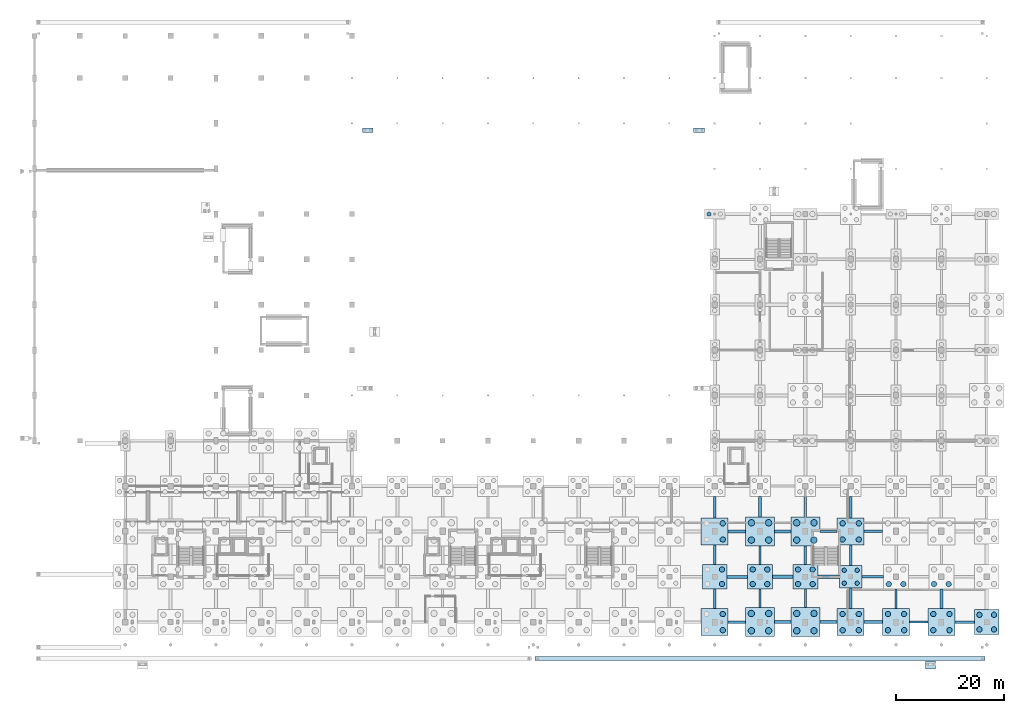
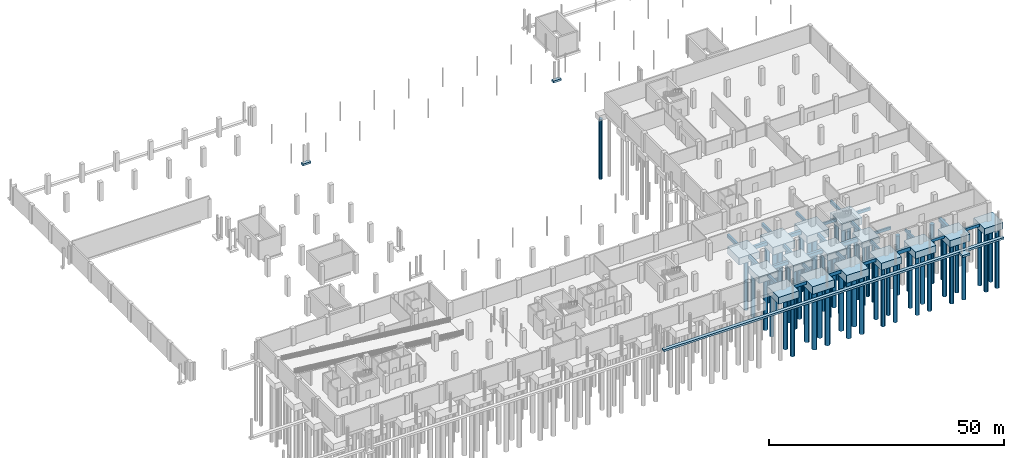
# One storey, part 5 of 39: 59 piles, 47 footings.
"""IFC4 building model written with IfcOpenShell, lengths in metres."""

from ifc_helpers import new_model, si_unit, derived_unit, direction, frame, origin, origin_2d, place, context, subcontext, project, spatial, polyline, rectangle, circle, outline, extrude, material, material_profile, profile_set, type_object, element, save


model = new_model("IFC4")

# Units and contexts
model_context = context("Model", 3, precision=1e-05, world=origin(), true_north=direction((0.0, 1.0)))
body_context = subcontext(model_context, "Body", "Model", "MODEL_VIEW")
ifc_project = project(units=[si_unit("LENGTHUNIT", "METRE"), si_unit("AREAUNIT", "SQUARE_METRE"), si_unit("VOLUMEUNIT", "CUBIC_METRE"), si_unit("PLANEANGLEUNIT", "RADIAN"), si_unit("MASSUNIT", "GRAM", prefix="KILO"), derived_unit("THERMALTRANSMITTANCEUNIT", [(si_unit("POWERUNIT", "WATT"), 1), (si_unit("LENGTHUNIT", "METRE"), -2), (si_unit("THERMODYNAMICTEMPERATUREUNIT", "KELVIN"), -1)])], contexts=[model_context])

# Site, building, storey
site_placement = place(None, origin())
site = spatial("IfcSite", under=ifc_project, at=site_placement, CompositionType="ELEMENT")
building_placement = place(site_placement, origin())
building = spatial("IfcBuilding", under=site, at=building_placement, Name="Barrovel Congress Hotel", CompositionType="ELEMENT")
storey_placement = place(building_placement, frame((0.0, 0.0, -4.5)))
storey = spatial("IfcBuildingStorey", under=building, at=storey_placement, Name="B01", CompositionType="ELEMENT", Elevation=-4.5)

# Footings
ifc_material_1 = material(Name="Concrete C40", Category="concrete")
footing_type_1 = type_object("IfcFootingType", Name="CAP-PC-08", PredefinedType="PILE_CAP", material=ifc_material_1)
footing_1_placement = place(storey_placement, frame((151.199951171875, 12.60009765625, -1.9599609375), z_axis=(0.0, 0.0, 1.0), x_axis=(1.0, 0.0, 0.0)))
element("IfcFooting", 1, at=footing_1_placement, inside=storey, type_object=footing_type_1, Name="CAP:B01:151.2:12.6", PredefinedType="PILE_CAP", context=body_context, shape_type="SweptSolid", body=[
    extrude(rectangle(XDim=4.199951171875, YDim=4.199951171875, at=origin_2d()), origin(), (0.0, 0.0, 1.0), 1.60009765625),
])
footing_type_2 = type_object("IfcFootingType", Name="CAP-PC-09", PredefinedType="PILE_CAP", material=ifc_material_1)
for number, where, z_axis, x_axis, name in (
    (2, (126.0, 12.60009765625, -2.06005859375), (0.0, 0.0, 1.0), (1.0, 0.0, 0.0), "CAP:B01:126.0:12.6"),
    (3, (134.39990234375, 12.60009765625, -2.06005859375), (0.0, 0.0, 1.0), (1.0, 0.0, 0.0), "CAP:B01:134.4:12.6"),
    (4, (142.800048828125, 12.60009765625, -2.06005859375), (0.0, 0.0, 1.0), (1.0, 0.0, 0.0), "CAP:B01:142.8:12.6"),
    (5, (176.39990234375, 4.199951171875, -2.06005859375), (0.0, 0.0, 1.0), (1.0, 0.0, 0.0), "CAP:B01:176.4:4.2"),
):
    element("IfcFooting", number, at=place(storey_placement, frame(where, z_axis=z_axis, x_axis=x_axis)), inside=storey, type_object=footing_type_2, Name=name, PredefinedType="PILE_CAP", context=body_context, shape_type="SweptSolid", body=[
        extrude(rectangle(XDim=4.60009765625, YDim=4.60009765625, at=origin_2d()), origin(), (0.0, 0.0, 1.0), 1.699951171875),
    ])
footing_type_3 = type_object("IfcFootingType", Name="CAP-PC-10", PredefinedType="PILE_CAP", material=ifc_material_1)
for number, where, z_axis, x_axis, name in (
    (6, (126.0, 4.199951171875, -2.16015625), (0.0, 0.0, 1.0), (1.0, 0.0, 0.0), "CAP:B01:126.0:4.2"),
    (7, (126.0, 21.0, -2.16015625), (0.0, 0.0, 1.0), (1.0, 0.0, 0.0), "CAP:B01:126.0:21.0"),
    (8, (151.199951171875, 4.199951171875, -2.16015625), (0.0, 0.0, 1.0), (1.0, 0.0, 0.0), "CAP:B01:151.2:4.2"),
    (9, (151.199951171875, 21.0, -2.16015625), (0.0, 0.0, 1.0), (1.0, 0.0, 0.0), "CAP:B01:151.2:21.0"),
    (10, (159.60009765625, 4.199951171875, -2.16015625), (0.0, 0.0, 1.0), (1.0, 0.0, 0.0), "CAP:B01:159.6:4.2"),
    (11, (168.0, 4.199951171875, -2.16015625), (0.0, 0.0, 1.0), (1.0, 0.0, 0.0), "CAP:B01:168.0:4.2"),
):
    element("IfcFooting", number, at=place(storey_placement, frame(where, z_axis=z_axis, x_axis=x_axis)), inside=storey, type_object=footing_type_3, Name=name, PredefinedType="PILE_CAP", context=body_context, shape_type="SweptSolid", body=[
        extrude(rectangle(XDim=5.0, YDim=5.0, at=origin_2d()), origin(), (0.0, 0.0, 1.0), 1.800048828125),
    ])
footing_type_4 = type_object("IfcFootingType", Name="CAP-PC-11", PredefinedType="PILE_CAP", material=ifc_material_1)
for number, where, z_axis, x_axis, name in (
    (12, (134.39990234375, 4.199951171875, -2.360107421875), (0.0, 0.0, 1.0), (1.0, 0.0, 0.0), "CAP:B01:134.4:4.2"),
    (13, (134.39990234375, 21.0, -2.360107421875), (0.0, 0.0, 1.0), (1.0, 0.0, 0.0), "CAP:B01:134.4:21.0"),
    (14, (142.800048828125, 4.199951171875, -2.360107421875), (0.0, 0.0, 1.0), (1.0, 0.0, 0.0), "CAP:B01:142.8:4.2"),
    (15, (142.800048828125, 21.0, -2.360107421875), (0.0, 0.0, 1.0), (1.0, 0.0, 0.0), "CAP:B01:142.8:21.0"),
):
    element("IfcFooting", number, at=place(storey_placement, frame(where, z_axis=z_axis, x_axis=x_axis)), inside=storey, type_object=footing_type_4, Name=name, PredefinedType="PILE_CAP", context=body_context, shape_type="SweptSolid", body=[
        extrude(rectangle(XDim=5.39990234375, YDim=5.39990234375, at=origin_2d()), origin(), (0.0, 0.0, 1.0), 2.0),
    ])
footing_type_5 = type_object("IfcFootingType", Name="FB-400x700", PredefinedType="FOOTING_BEAM", material=ifc_material_1)
footing_2_placement = place(storey_placement, frame((0.0, 0.0, -1.06005859375)))
element("IfcFooting", 16, at=footing_2_placement, inside=storey, type_object=footing_type_5, Name="FBX:B01:4.2:159.6-168.0", PredefinedType="FOOTING_BEAM", context=body_context, shape_type="SweptSolid", body=[
    extrude(outline(polyline([(162.10009765625, 4.0), (165.5, 4.0), (165.5, 4.39990234375), (162.10009765625, 4.39990234375), (162.10009765625, 4.0)])), origin(), (0.0, 0.0, 1.0), 0.699951171875),
])
footing_3_placement = place(storey_placement, frame((0.0, 0.0, -1.06005859375)))
element("IfcFooting", 17, at=footing_3_placement, inside=storey, type_object=footing_type_5, Name="FBX:B01:12.6:151.2-159.6", PredefinedType="FOOTING_BEAM", context=body_context, shape_type="SweptSolid", body=[
    extrude(outline(polyline([(153.300048828125, 12.39990234375), (157.300048828125, 12.39990234375), (157.300048828125, 12.800048828125), (153.300048828125, 12.800048828125), (153.300048828125, 12.39990234375)])), origin(), (0.0, 0.0, 1.0), 0.699951171875),
])
footing_4_placement = place(storey_placement, frame((0.0, 0.0, -1.06005859375)))
element("IfcFooting", 18, at=footing_4_placement, inside=storey, type_object=footing_type_5, Name="FBX:B01:21.0:142.8-151.2", PredefinedType="FOOTING_BEAM", context=body_context, shape_type="SweptSolid", body=[
    extrude(outline(polyline([(145.5, 20.800048828125), (148.699951171875, 20.800048828125), (148.699951171875, 21.199951171875), (145.5, 21.199951171875), (145.5, 20.800048828125)])), origin(), (0.0, 0.0, 1.0), 0.699951171875),
])
footing_5_placement = place(storey_placement, frame((0.0, 0.0, -1.06005859375)))
element("IfcFooting", 19, at=footing_5_placement, inside=storey, type_object=footing_type_5, Name="FBY:B01:126.0:4.2-12.6", PredefinedType="FOOTING_BEAM", context=body_context, shape_type="SweptSolid", body=[
    extrude(outline(polyline([(125.800048828125, 6.699951171875), (126.199951171875, 6.699951171875), (126.199951171875, 10.300048828125), (125.800048828125, 10.300048828125), (125.800048828125, 6.699951171875)])), origin(), (0.0, 0.0, 1.0), 0.699951171875),
])
footing_6_placement = place(storey_placement, frame((0.0, 0.0, -1.06005859375)))
element("IfcFooting", 20, at=footing_6_placement, inside=storey, type_object=footing_type_5, Name="FBY:B01:134.4:4.2-12.6", PredefinedType="FOOTING_BEAM", context=body_context, shape_type="SweptSolid", body=[
    extrude(outline(polyline([(134.199951171875, 6.89990234375), (134.60009765625, 6.89990234375), (134.60009765625, 10.300048828125), (134.199951171875, 10.300048828125), (134.199951171875, 6.89990234375)])), origin(), (0.0, 0.0, 1.0), 0.699951171875),
])
footing_7_placement = place(storey_placement, frame((0.0, 0.0, -1.06005859375)))
element("IfcFooting", 21, at=footing_7_placement, inside=storey, type_object=footing_type_5, Name="FBY:B01:142.8:4.2-12.6", PredefinedType="FOOTING_BEAM", context=body_context, shape_type="SweptSolid", body=[
    extrude(outline(polyline([(142.60009765625, 6.89990234375), (143.0, 6.89990234375), (143.0, 10.300048828125), (142.60009765625, 10.300048828125), (142.60009765625, 6.89990234375)])), origin(), (0.0, 0.0, 1.0), 0.699951171875),
])
footing_8_placement = place(storey_placement, frame((0.0, 0.0, -1.06005859375)))
element("IfcFooting", 22, at=footing_8_placement, inside=storey, type_object=footing_type_5, Name="FBY:B01:151.2:4.2-12.6", PredefinedType="FOOTING_BEAM", context=body_context, shape_type="SweptSolid", body=[
    extrude(outline(polyline([(151.0, 6.699951171875), (151.39990234375, 6.699951171875), (151.39990234375, 10.5), (151.0, 10.5), (151.0, 6.699951171875)])), origin(), (0.0, 0.0, 1.0), 0.699951171875),
])
footing_9_placement = place(storey_placement, frame((0.0, 0.0, -1.06005859375)))
element("IfcFooting", 23, at=footing_9_placement, inside=storey, type_object=footing_type_5, Name="FBY:B01:159.6:4.2-12.6", PredefinedType="FOOTING_BEAM", context=body_context, shape_type="SweptSolid", body=[
    extrude(outline(polyline([(159.39990234375, 6.699951171875), (159.800048828125, 6.699951171875), (159.800048828125, 10.300048828125), (159.39990234375, 10.300048828125), (159.39990234375, 6.699951171875)])), origin(), (0.0, 0.0, 1.0), 0.699951171875),
])
footing_type_6 = type_object("IfcFootingType", Name="FB-450x750", PredefinedType="FOOTING_BEAM", material=ifc_material_1)
footing_10_placement = place(storey_placement, frame((0.0, 0.0, -1.110107421875)))
element("IfcFooting", 24, at=footing_10_placement, inside=storey, type_object=footing_type_6, Name="FBX:B01:4.2:168.0-176.4", PredefinedType="FOOTING_BEAM", context=body_context, shape_type="SweptSolid", body=[
    extrude(outline(polyline([(170.5, 3.97509765625), (174.10009765625, 3.97509765625), (174.10009765625, 4.425048828125), (170.5, 4.425048828125), (170.5, 3.97509765625)])), origin(), (0.0, 0.0, 1.0), 0.75),
])
footing_11_placement = place(storey_placement, frame((0.0, 0.0, -1.110107421875)))
element("IfcFooting", 25, at=footing_11_placement, inside=storey, type_object=footing_type_6, Name="FBX:B01:21.0:151.2-159.6", PredefinedType="FOOTING_BEAM", context=body_context, shape_type="SweptSolid", body=[
    extrude(outline(polyline([(153.699951171875, 20.77490234375), (157.10009765625, 20.77490234375), (157.10009765625, 21.22509765625), (153.699951171875, 21.22509765625), (153.699951171875, 20.77490234375)])), origin(), (0.0, 0.0, 1.0), 0.75),
])
footing_12_placement = place(storey_placement, frame((0.0, 0.0, -1.110107421875)))
element("IfcFooting", 26, at=footing_12_placement, inside=storey, type_object=footing_type_6, Name="FBY:B01:126.0:12.6-21.0", PredefinedType="FOOTING_BEAM", context=body_context, shape_type="SweptSolid", body=[
    extrude(outline(polyline([(125.77490234375, 14.89990234375), (126.22509765625, 14.89990234375), (126.22509765625, 18.5), (125.77490234375, 18.5), (125.77490234375, 14.89990234375)])), origin(), (0.0, 0.0, 1.0), 0.75),
])
footing_13_placement = place(storey_placement, frame((0.0, 0.0, -1.110107421875)))
element("IfcFooting", 27, at=footing_13_placement, inside=storey, type_object=footing_type_6, Name="FBY:B01:134.4:12.6-21.0", PredefinedType="FOOTING_BEAM", context=body_context, shape_type="SweptSolid", body=[
    extrude(outline(polyline([(134.175048828125, 14.89990234375), (134.625, 14.89990234375), (134.625, 18.300048828125), (134.175048828125, 18.300048828125), (134.175048828125, 14.89990234375)])), origin(), (0.0, 0.0, 1.0), 0.75),
])
footing_14_placement = place(storey_placement, frame((0.0, 0.0, -1.110107421875)))
element("IfcFooting", 28, at=footing_14_placement, inside=storey, type_object=footing_type_6, Name="FBY:B01:142.8:12.6-21.0", PredefinedType="FOOTING_BEAM", context=body_context, shape_type="SweptSolid", body=[
    extrude(outline(polyline([(142.574951171875, 14.89990234375), (143.02490234375, 14.89990234375), (143.02490234375, 18.300048828125), (142.574951171875, 18.300048828125), (142.574951171875, 14.89990234375)])), origin(), (0.0, 0.0, 1.0), 0.75),
])
footing_15_placement = place(storey_placement, frame((0.0, 0.0, -1.110107421875)))
element("IfcFooting", 29, at=footing_15_placement, inside=storey, type_object=footing_type_6, Name="FBY:B01:151.2:12.6-21.0", PredefinedType="FOOTING_BEAM", context=body_context, shape_type="SweptSolid", body=[
    extrude(outline(polyline([(150.97509765625, 14.699951171875), (151.425048828125, 14.699951171875), (151.425048828125, 18.5), (150.97509765625, 18.5), (150.97509765625, 14.699951171875)])), origin(), (0.0, 0.0, 1.0), 0.75),
])
footing_type_7 = type_object("IfcFootingType", Name="FB-500x800", PredefinedType="FOOTING_BEAM", material=ifc_material_1)
footing_16_placement = place(storey_placement, frame((0.0, 0.0, -1.159912109375)))
element("IfcFooting", 30, at=footing_16_placement, inside=storey, type_object=footing_type_7, Name="FBX:B01:4.2:126.0-134.4", PredefinedType="FOOTING_BEAM", context=body_context, shape_type="SweptSolid", body=[
    extrude(outline(polyline([(128.5, 3.949951171875), (131.699951171875, 3.949951171875), (131.699951171875, 4.449951171875), (128.5, 4.449951171875), (128.5, 3.949951171875)])), origin(), (0.0, 0.0, 1.0), 0.7998046875),
])
footing_17_placement = place(storey_placement, frame((0.0, 0.0, -1.159912109375)))
element("IfcFooting", 31, at=footing_17_placement, inside=storey, type_object=footing_type_7, Name="FBY:B01:126.0:21.0-29.4", PredefinedType="FOOTING_BEAM", context=body_context, shape_type="SweptSolid", body=[
    extrude(outline(polyline([(125.75, 23.5), (126.25, 23.5), (126.25, 27.5), (125.75, 27.5), (125.75, 23.5)])), origin(), (0.0, 0.0, 1.0), 0.7998046875),
])
footing_18_placement = place(storey_placement, frame((0.0, 0.0, -1.159912109375)))
element("IfcFooting", 32, at=footing_18_placement, inside=storey, type_object=footing_type_7, Name="FBY:B01:134.4:21.0-29.4", PredefinedType="FOOTING_BEAM", context=body_context, shape_type="SweptSolid", body=[
    extrude(outline(polyline([(134.14990234375, 23.699951171875), (134.64990234375, 23.699951171875), (134.64990234375, 27.5), (134.14990234375, 27.5), (134.14990234375, 23.699951171875)])), origin(), (0.0, 0.0, 1.0), 0.7998046875),
])
footing_19_placement = place(storey_placement, frame((0.0, 0.0, -1.159912109375)))
element("IfcFooting", 33, at=footing_19_placement, inside=storey, type_object=footing_type_7, Name="FBY:B01:142.8:21.0-29.4", PredefinedType="FOOTING_BEAM", context=body_context, shape_type="SweptSolid", body=[
    extrude(outline(polyline([(142.550048828125, 23.699951171875), (143.050048828125, 23.699951171875), (143.050048828125, 27.5), (142.550048828125, 27.5), (142.550048828125, 23.699951171875)])), origin(), (0.0, 0.0, 1.0), 0.7998046875),
])
footing_20_placement = place(storey_placement, frame((0.0, 0.0, -1.159912109375)))
element("IfcFooting", 34, at=footing_20_placement, inside=storey, type_object=footing_type_7, Name="FBY:B01:151.2:21.0-29.4", PredefinedType="FOOTING_BEAM", context=body_context, shape_type="SweptSolid", body=[
    extrude(outline(polyline([(150.949951171875, 23.5), (151.449951171875, 23.5), (151.449951171875, 27.5), (150.949951171875, 27.5), (150.949951171875, 23.5)])), origin(), (0.0, 0.0, 1.0), 0.7998046875),
])
footing_type_8 = type_object("IfcFootingType", Name="FB-550x850", PredefinedType="FOOTING_BEAM", material=ifc_material_1)
footing_21_placement = place(storey_placement, frame((0.0, 0.0, -1.2099609375)))
element("IfcFooting", 35, at=footing_21_placement, inside=storey, type_object=footing_type_8, Name="FBX:B01:4.2:134.4-142.8", PredefinedType="FOOTING_BEAM", context=body_context, shape_type="SweptSolid", body=[
    extrude(outline(polyline([(137.10009765625, 3.925048828125), (140.10009765625, 3.925048828125), (140.10009765625, 4.47509765625), (137.10009765625, 4.47509765625), (137.10009765625, 3.925048828125)])), origin(), (0.0, 0.0, 1.0), 0.849853515625),
])
footing_22_placement = place(storey_placement, frame((0.0, 0.0, -1.2099609375)))
element("IfcFooting", 36, at=footing_22_placement, inside=storey, type_object=footing_type_8, Name="FBX:B01:12.6:126.0-134.4", PredefinedType="FOOTING_BEAM", context=body_context, shape_type="SweptSolid", body=[
    extrude(outline(polyline([(128.300048828125, 12.324951171875), (132.10009765625, 12.324951171875), (132.10009765625, 12.875), (128.300048828125, 12.875), (128.300048828125, 12.324951171875)])), origin(), (0.0, 0.0, 1.0), 0.849853515625),
])
footing_type_9 = type_object("IfcFootingType", Name="FB-600x850", PredefinedType="FOOTING_BEAM", material=ifc_material_1)
footing_23_placement = place(storey_placement, frame((0.0, 0.0, -1.2099609375)))
element("IfcFooting", 37, at=footing_23_placement, inside=storey, type_object=footing_type_9, Name="FBX:B01:4.2:142.8-151.2", PredefinedType="FOOTING_BEAM", context=body_context, shape_type="SweptSolid", body=[
    extrude(outline(polyline([(145.5, 3.89990234375), (148.699951171875, 3.89990234375), (148.699951171875, 4.5), (145.5, 4.5), (145.5, 3.89990234375)])), origin(), (0.0, 0.0, 1.0), 0.849853515625),
])
footing_24_placement = place(storey_placement, frame((0.0, 0.0, -1.2099609375)))
element("IfcFooting", 38, at=footing_24_placement, inside=storey, type_object=footing_type_9, Name="FBX:B01:12.6:134.4-142.8", PredefinedType="FOOTING_BEAM", context=body_context, shape_type="SweptSolid", body=[
    extrude(outline(polyline([(136.699951171875, 12.300048828125), (140.5, 12.300048828125), (140.5, 12.89990234375), (136.699951171875, 12.89990234375), (136.699951171875, 12.300048828125)])), origin(), (0.0, 0.0, 1.0), 0.849853515625),
])
footing_25_placement = place(storey_placement, frame((0.0, 0.0, -1.2099609375)))
element("IfcFooting", 39, at=footing_25_placement, inside=storey, type_object=footing_type_9, Name="FBX:B01:21.0:126.0-134.4", PredefinedType="FOOTING_BEAM", context=body_context, shape_type="SweptSolid", body=[
    extrude(outline(polyline([(128.5, 20.699951171875), (131.699951171875, 20.699951171875), (131.699951171875, 21.300048828125), (128.5, 21.300048828125), (128.5, 20.699951171875)])), origin(), (0.0, 0.0, 1.0), 0.849853515625),
])
footing_type_10 = type_object("IfcFootingType", Name="FB-600x950", PredefinedType="FOOTING_BEAM", material=ifc_material_1)
footing_26_placement = place(storey_placement, frame((0.0, 0.0, -1.31005859375)))
element("IfcFooting", 40, at=footing_26_placement, inside=storey, type_object=footing_type_10, Name="FBX:B01:4.2:151.2-159.6", PredefinedType="FOOTING_BEAM", context=body_context, shape_type="SweptSolid", body=[
    extrude(outline(polyline([(153.699951171875, 3.89990234375), (157.10009765625, 3.89990234375), (157.10009765625, 4.5), (153.699951171875, 4.5), (153.699951171875, 3.89990234375)])), origin(), (0.0, 0.0, 1.0), 0.949951171875),
])
footing_27_placement = place(storey_placement, frame((0.0, 0.0, -1.31005859375)))
element("IfcFooting", 41, at=footing_27_placement, inside=storey, type_object=footing_type_10, Name="FBX:B01:12.6:142.8-151.2", PredefinedType="FOOTING_BEAM", context=body_context, shape_type="SweptSolid", body=[
    extrude(outline(polyline([(145.10009765625, 12.300048828125), (149.10009765625, 12.300048828125), (149.10009765625, 12.89990234375), (145.10009765625, 12.89990234375), (145.10009765625, 12.300048828125)])), origin(), (0.0, 0.0, 1.0), 0.949951171875),
])
footing_28_placement = place(storey_placement, frame((0.0, 0.0, -1.31005859375)))
element("IfcFooting", 42, at=footing_28_placement, inside=storey, type_object=footing_type_10, Name="FBX:B01:21.0:134.4-142.8", PredefinedType="FOOTING_BEAM", context=body_context, shape_type="SweptSolid", body=[
    extrude(outline(polyline([(137.10009765625, 20.699951171875), (140.10009765625, 20.699951171875), (140.10009765625, 21.300048828125), (137.10009765625, 21.300048828125), (137.10009765625, 20.699951171875)])), origin(), (0.0, 0.0, 1.0), 0.949951171875),
])
footing_29_placement = place(storey_placement, frame((0.0, 0.0, -1.31005859375)))
element("IfcFooting", 43, at=footing_29_placement, inside=storey, type_object=footing_type_10, Name="FBY:B01:168.0:4.2-12.6", PredefinedType="FOOTING_BEAM", context=body_context, shape_type="SweptSolid", body=[
    extrude(outline(polyline([(167.699951171875, 6.699951171875), (168.300048828125, 6.699951171875), (168.300048828125, 10.300048828125), (167.699951171875, 10.300048828125), (167.699951171875, 6.699951171875)])), origin(), (0.0, 0.0, 1.0), 0.949951171875),
])

# Piles
ifc_material_2 = material(Name="Concrete C35", Category="concrete")
ifc_material_profile_1 = material_profile(ifc_material_2, circle(Radius=0.5, at=origin_2d()), Name="BP-D1000")
ifc_profile_set_1 = profile_set([ifc_material_profile_1], Name="Concrete C35")
pile_type_1 = type_object("IfcPileType", Name="PILE-BP-D1000", PredefinedType="BORED", material=ifc_profile_set_1)
for number, where, z_axis, x_axis, name in (
    (44, (127.5, 2.699951171875, -2.159912109375), (0.0, 0.0, -1.0), (1.0, 0.0, 0.0), "PILE:B01:126.0:4.2:2"),
    (45, (127.5, 5.699951171875, -2.159912109375), (0.0, 0.0, -1.0), (1.0, 0.0, 0.0), "PILE:B01:126.0:4.2:4"),
):
    element("IfcPile", number, at=place(storey_placement, frame(where, z_axis=z_axis, x_axis=x_axis)), inside=storey, type_object=pile_type_1, Name=name, PredefinedType="BORED", context=body_context, shape_type="SweptSolid", body=[
        extrude(circle(Radius=0.5, at=origin_2d()), origin(), (0.0, 0.0, 1.0), 15.239990234375),
    ])
for number, where, z_axis, x_axis, name in (
    (46, (127.35009765625, 11.25, -2.06005859375), (0.0, 0.0, -1.0), (1.0, 0.0, 0.0), "PILE:B01:126.0:12.6:2"),
    (47, (127.35009765625, 13.949951171875, -2.06005859375), (0.0, 0.0, -1.0), (1.0, 0.0, 0.0), "PILE:B01:126.0:12.6:4"),
):
    element("IfcPile", number, at=place(storey_placement, frame(where, z_axis=z_axis, x_axis=x_axis)), inside=storey, type_object=pile_type_1, Name=name, PredefinedType="BORED", context=body_context, shape_type="SweptSolid", body=[
        extrude(circle(Radius=0.5, at=origin_2d()), origin(), (0.0, 0.0, 1.0), 15.340087890625),
    ])
for number, where, z_axis, x_axis, name in (
    (48, (127.5, 19.5, -2.159912109375), (0.0, 0.0, -1.0), (1.0, 0.0, 0.0), "PILE:B01:126.0:21.0:2"),
    (49, (127.5, 22.5, -2.159912109375), (0.0, 0.0, -1.0), (1.0, 0.0, 0.0), "PILE:B01:126.0:21.0:4"),
):
    element("IfcPile", number, at=place(storey_placement, frame(where, z_axis=z_axis, x_axis=x_axis)), inside=storey, type_object=pile_type_1, Name=name, PredefinedType="BORED", context=body_context, shape_type="SweptSolid", body=[
        extrude(circle(Radius=0.5, at=origin_2d()), origin(), (0.0, 0.0, 1.0), 15.239990234375),
    ])
for number, where, z_axis, x_axis, name in (
    (50, (133.050048828125, 11.25, -2.06005859375), (0.0, 0.0, -1.0), (1.0, 0.0, 0.0), "PILE:B01:134.4:12.6:1"),
    (51, (135.75, 11.25, -2.06005859375), (0.0, 0.0, -1.0), (1.0, 0.0, 0.0), "PILE:B01:134.4:12.6:2"),
    (52, (133.050048828125, 13.949951171875, -2.06005859375), (0.0, 0.0, -1.0), (1.0, 0.0, 0.0), "PILE:B01:134.4:12.6:3"),
    (53, (135.75, 13.949951171875, -2.06005859375), (0.0, 0.0, -1.0), (1.0, 0.0, 0.0), "PILE:B01:134.4:12.6:4"),
    (54, (141.449951171875, 11.25, -2.06005859375), (0.0, 0.0, -1.0), (1.0, 0.0, 0.0), "PILE:B01:142.8:12.6:1"),
    (55, (144.14990234375, 11.25, -2.06005859375), (0.0, 0.0, -1.0), (1.0, 0.0, 0.0), "PILE:B01:142.8:12.6:2"),
    (56, (141.449951171875, 13.949951171875, -2.06005859375), (0.0, 0.0, -1.0), (1.0, 0.0, 0.0), "PILE:B01:142.8:12.6:3"),
    (57, (144.14990234375, 13.949951171875, -2.06005859375), (0.0, 0.0, -1.0), (1.0, 0.0, 0.0), "PILE:B01:142.8:12.6:4"),
):
    element("IfcPile", number, at=place(storey_placement, frame(where, z_axis=z_axis, x_axis=x_axis)), inside=storey, type_object=pile_type_1, Name=name, PredefinedType="BORED", context=body_context, shape_type="SweptSolid", body=[
        extrude(circle(Radius=0.5, at=origin_2d()), origin(), (0.0, 0.0, 1.0), 15.340087890625),
    ])
for number, where, z_axis, x_axis, name in (
    (58, (149.699951171875, 2.699951171875, -2.159912109375), (0.0, 0.0, -1.0), (1.0, 0.0, 0.0), "PILE:B01:151.2:4.2:1"),
    (59, (152.699951171875, 2.699951171875, -2.159912109375), (0.0, 0.0, -1.0), (1.0, 0.0, 0.0), "PILE:B01:151.2:4.2:2"),
    (60, (149.699951171875, 5.699951171875, -2.159912109375), (0.0, 0.0, -1.0), (1.0, 0.0, 0.0), "PILE:B01:151.2:4.2:3"),
    (61, (152.699951171875, 5.699951171875, -2.159912109375), (0.0, 0.0, -1.0), (1.0, 0.0, 0.0), "PILE:B01:151.2:4.2:4"),
    (62, (149.699951171875, 19.5, -2.159912109375), (0.0, 0.0, -1.0), (1.0, 0.0, 0.0), "PILE:B01:151.2:21.0:1"),
    (63, (152.699951171875, 19.5, -2.159912109375), (0.0, 0.0, -1.0), (1.0, 0.0, 0.0), "PILE:B01:151.2:21.0:2"),
    (64, (149.699951171875, 22.5, -2.159912109375), (0.0, 0.0, -1.0), (1.0, 0.0, 0.0), "PILE:B01:151.2:21.0:3"),
    (65, (152.699951171875, 22.5, -2.159912109375), (0.0, 0.0, -1.0), (1.0, 0.0, 0.0), "PILE:B01:151.2:21.0:4"),
    (66, (158.10009765625, 2.699951171875, -2.159912109375), (0.0, 0.0, -1.0), (1.0, 0.0, 0.0), "PILE:B01:159.6:4.2:1"),
    (67, (161.10009765625, 2.699951171875, -2.159912109375), (0.0, 0.0, -1.0), (1.0, 0.0, 0.0), "PILE:B01:159.6:4.2:2"),
    (68, (158.10009765625, 5.699951171875, -2.159912109375), (0.0, 0.0, -1.0), (1.0, 0.0, 0.0), "PILE:B01:159.6:4.2:3"),
    (69, (161.10009765625, 5.699951171875, -2.159912109375), (0.0, 0.0, -1.0), (1.0, 0.0, 0.0), "PILE:B01:159.6:4.2:4"),
):
    element("IfcPile", number, at=place(storey_placement, frame(where, z_axis=z_axis, x_axis=x_axis)), inside=storey, type_object=pile_type_1, Name=name, PredefinedType="BORED", context=body_context, shape_type="SweptSolid", body=[
        extrude(circle(Radius=0.5, at=origin_2d()), origin(), (0.0, 0.0, 1.0), 15.239990234375),
    ])
for number, where, z_axis, x_axis, name in (
    (70, (158.25, 11.25, -2.06005859375), (0.0, 0.0, -1.0), (1.0, 0.0, 0.0), "PILE:B01:159.6:12.6:1"),
    (71, (160.949951171875, 11.25, -2.06005859375), (0.0, 0.0, -1.0), (1.0, 0.0, 0.0), "PILE:B01:159.6:12.6:2"),
):
    element("IfcPile", number, at=place(storey_placement, frame(where, z_axis=z_axis, x_axis=x_axis)), inside=storey, type_object=pile_type_1, Name=name, PredefinedType="BORED", context=body_context, shape_type="SweptSolid", body=[
        extrude(circle(Radius=0.5, at=origin_2d()), origin(), (0.0, 0.0, 1.0), 15.340087890625),
    ])
for number, where, z_axis, x_axis, name in (
    (72, (166.5, 2.699951171875, -2.159912109375), (0.0, 0.0, -1.0), (1.0, 0.0, 0.0), "PILE:B01:168.0:4.2:1"),
    (73, (169.5, 2.699951171875, -2.159912109375), (0.0, 0.0, -1.0), (1.0, 0.0, 0.0), "PILE:B01:168.0:4.2:2"),
    (74, (166.5, 5.699951171875, -2.159912109375), (0.0, 0.0, -1.0), (1.0, 0.0, 0.0), "PILE:B01:168.0:4.2:3"),
    (75, (169.5, 5.699951171875, -2.159912109375), (0.0, 0.0, -1.0), (1.0, 0.0, 0.0), "PILE:B01:168.0:4.2:4"),
):
    element("IfcPile", number, at=place(storey_placement, frame(where, z_axis=z_axis, x_axis=x_axis)), inside=storey, type_object=pile_type_1, Name=name, PredefinedType="BORED", context=body_context, shape_type="SweptSolid", body=[
        extrude(circle(Radius=0.5, at=origin_2d()), origin(), (0.0, 0.0, 1.0), 15.239990234375),
    ])
for number, where, z_axis, x_axis, name in (
    (76, (166.64990234375, 11.25, -2.06005859375), (0.0, 0.0, -1.0), (1.0, 0.0, 0.0), "PILE:B01:168.0:12.6:1"),
    (77, (169.35009765625, 11.25, -2.06005859375), (0.0, 0.0, -1.0), (1.0, 0.0, 0.0), "PILE:B01:168.0:12.6:2"),
    (78, (175.050048828125, 2.85009765625, -2.06005859375), (0.0, 0.0, -1.0), (1.0, 0.0, 0.0), "PILE:B01:176.4:4.2:1"),
    (79, (177.75, 2.85009765625, -2.06005859375), (0.0, 0.0, -1.0), (1.0, 0.0, 0.0), "PILE:B01:176.4:4.2:2"),
    (80, (175.050048828125, 5.550048828125, -2.06005859375), (0.0, 0.0, -1.0), (1.0, 0.0, 0.0), "PILE:B01:176.4:4.2:3"),
    (81, (177.75, 5.550048828125, -2.06005859375), (0.0, 0.0, -1.0), (1.0, 0.0, 0.0), "PILE:B01:176.4:4.2:4"),
):
    element("IfcPile", number, at=place(storey_placement, frame(where, z_axis=z_axis, x_axis=x_axis)), inside=storey, type_object=pile_type_1, Name=name, PredefinedType="BORED", context=body_context, shape_type="SweptSolid", body=[
        extrude(circle(Radius=0.5, at=origin_2d()), origin(), (0.0, 0.0, 1.0), 15.340087890625),
    ])
ifc_material_profile_2 = material_profile(ifc_material_2, circle(Radius=0.60009765625, at=origin_2d()), Name="BP-D1200")
ifc_profile_set_2 = profile_set([ifc_material_profile_2], Name="Concrete C35")
pile_type_2 = type_object("IfcPileType", Name="PILE-BP-D1200", PredefinedType="BORED", material=ifc_profile_set_2)
for number, where, z_axis, x_axis, name in (
    (82, (132.800048828125, 2.60009765625, -2.360107421875), (0.0, 0.0, -1.0), (1.0, 0.0, 0.0), "PILE:B01:134.4:4.2:1"),
    (83, (136.0, 2.60009765625, -2.360107421875), (0.0, 0.0, -1.0), (1.0, 0.0, 0.0), "PILE:B01:134.4:4.2:2"),
    (84, (132.800048828125, 5.800048828125, -2.360107421875), (0.0, 0.0, -1.0), (1.0, 0.0, 0.0), "PILE:B01:134.4:4.2:3"),
    (85, (136.0, 5.800048828125, -2.360107421875), (0.0, 0.0, -1.0), (1.0, 0.0, 0.0), "PILE:B01:134.4:4.2:4"),
    (86, (132.800048828125, 19.39990234375, -2.360107421875), (0.0, 0.0, -1.0), (1.0, 0.0, 0.0), "PILE:B01:134.4:21.0:1"),
    (87, (136.0, 19.39990234375, -2.360107421875), (0.0, 0.0, -1.0), (1.0, 0.0, 0.0), "PILE:B01:134.4:21.0:2"),
    (88, (132.800048828125, 22.60009765625, -2.360107421875), (0.0, 0.0, -1.0), (1.0, 0.0, 0.0), "PILE:B01:134.4:21.0:3"),
    (89, (136.0, 22.60009765625, -2.360107421875), (0.0, 0.0, -1.0), (1.0, 0.0, 0.0), "PILE:B01:134.4:21.0:4"),
    (90, (141.199951171875, 2.60009765625, -2.360107421875), (0.0, 0.0, -1.0), (1.0, 0.0, 0.0), "PILE:B01:142.8:4.2:1"),
    (91, (144.39990234375, 2.60009765625, -2.360107421875), (0.0, 0.0, -1.0), (1.0, 0.0, 0.0), "PILE:B01:142.8:4.2:2"),
    (92, (141.199951171875, 5.800048828125, -2.360107421875), (0.0, 0.0, -1.0), (1.0, 0.0, 0.0), "PILE:B01:142.8:4.2:3"),
    (93, (144.39990234375, 5.800048828125, -2.360107421875), (0.0, 0.0, -1.0), (1.0, 0.0, 0.0), "PILE:B01:142.8:4.2:4"),
    (94, (141.199951171875, 19.39990234375, -2.360107421875), (0.0, 0.0, -1.0), (1.0, 0.0, 0.0), "PILE:B01:142.8:21.0:1"),
    (95, (144.39990234375, 19.39990234375, -2.360107421875), (0.0, 0.0, -1.0), (1.0, 0.0, 0.0), "PILE:B01:142.8:21.0:2"),
    (96, (141.199951171875, 22.60009765625, -2.360107421875), (0.0, 0.0, -1.0), (1.0, 0.0, 0.0), "PILE:B01:142.8:21.0:3"),
    (97, (144.39990234375, 22.60009765625, -2.360107421875), (0.0, 0.0, -1.0), (1.0, 0.0, 0.0), "PILE:B01:142.8:21.0:4"),
):
    element("IfcPile", number, at=place(storey_placement, frame(where, z_axis=z_axis, x_axis=x_axis)), inside=storey, type_object=pile_type_2, Name=name, PredefinedType="BORED", context=body_context, shape_type="SweptSolid", body=[
        extrude(circle(Radius=0.60009765625, at=origin_2d()), origin(), (0.0, 0.0, 1.0), 15.0400390625),
    ])
ifc_material_profile_3 = material_profile(ifc_material_2, circle(Radius=0.39990234375, at=origin_2d()), Name="BP-D800")
ifc_profile_set_3 = profile_set([ifc_material_profile_3], Name="Concrete C35")
pile_type_3 = type_object("IfcPileType", Name="PILE-BP-D800", PredefinedType="BORED", material=ifc_profile_set_3)
pile_placement = place(storey_placement, frame((124.949951171875, 79.800048828125, -1.760009765625), z_axis=(0.0, 0.0, -1.0), x_axis=(1.0, 0.0, 0.0)))
element("IfcPile", 98, at=pile_placement, inside=storey, type_object=pile_type_3, Name="PILE:B01:126.0:79.8:1", PredefinedType="BORED", context=body_context, shape_type="SweptSolid", body=[
    extrude(circle(Radius=0.39990234375, at=origin_2d()), origin(), (0.0, 0.0, 1.0), 15.639892578125),
])
for number, where, z_axis, x_axis, name in (
    (99, (150.0, 11.39990234375, -1.9599609375), (0.0, 0.0, -1.0), (1.0, 0.0, 0.0), "PILE:B01:151.2:12.6:1"),
    (100, (152.39990234375, 11.39990234375, -1.9599609375), (0.0, 0.0, -1.0), (1.0, 0.0, 0.0), "PILE:B01:151.2:12.6:2"),
    (101, (150.0, 13.800048828125, -1.9599609375), (0.0, 0.0, -1.0), (1.0, 0.0, 0.0), "PILE:B01:151.2:12.6:3"),
    (102, (152.39990234375, 13.800048828125, -1.9599609375), (0.0, 0.0, -1.0), (1.0, 0.0, 0.0), "PILE:B01:151.2:12.6:4"),
):
    element("IfcPile", number, at=place(storey_placement, frame(where, z_axis=z_axis, x_axis=x_axis)), inside=storey, type_object=pile_type_3, Name=name, PredefinedType="BORED", context=body_context, shape_type="SweptSolid", body=[
        extrude(circle(Radius=0.39990234375, at=origin_2d()), origin(), (0.0, 0.0, 1.0), 15.43994140625),
    ])

# Footings
footing_type_11 = type_object("IfcFootingType", Name="SF-800x500", PredefinedType="STRIP_FOOTING", material=ifc_material_1)
footing_30_placement = place(storey_placement, frame((0.0, 0.0, -0.860107421875)))
element("IfcFooting", 103, at=footing_30_placement, inside=storey, type_object=footing_type_11, Name="SF:PAV-SOUTH-E:A", PredefinedType="STRIP_FOOTING", context=body_context, shape_type="SweptSolid", body=[
    extrude(outline(polyline([(92.699951171875, -2.949951171875), (176.10009765625, -2.949951171875), (176.10009765625, -2.14990234375), (92.699951171875, -2.14990234375), (92.699951171875, -2.949951171875)])), origin(), (0.0, 0.0, 1.0), 0.5),
])
footing_31_placement = place(storey_placement, frame((0.0, 0.0, -0.860107421875)))
element("IfcFooting", 104, at=footing_31_placement, inside=storey, type_object=footing_type_11, Name="SF:PAV-COURT-WALK-W:B", PredefinedType="STRIP_FOOTING", context=body_context, shape_type="SweptSolid", body=[
    extrude(outline(polyline([(60.7099609375, 94.949951171875), (62.699951171875, 94.949951171875), (62.699951171875, 95.75), (60.7099609375, 95.75), (60.7099609375, 94.949951171875)])), origin(), (0.0, 0.0, 1.0), 0.5),
])
footing_32_placement = place(storey_placement, frame((0.0, 0.0, -0.860107421875)))
element("IfcFooting", 105, at=footing_32_placement, inside=storey, type_object=footing_type_11, Name="SF:PAV-COURT-WALK-E:B", PredefinedType="STRIP_FOOTING", context=body_context, shape_type="SweptSolid", body=[
    extrude(outline(polyline([(122.10009765625, 94.949951171875), (124.090087890625, 94.949951171875), (124.090087890625, 95.75), (122.10009765625, 95.75), (122.10009765625, 94.949951171875)])), origin(), (0.0, 0.0, 1.0), 0.5),
])
footing_33_placement = place(storey_placement, frame((0.0, 0.0, -0.860107421875)))
element("IfcFooting", 106, at=footing_33_placement, inside=storey, type_object=footing_type_11, Name="SF:RAMP:R-04:F1:1", PredefinedType="STRIP_FOOTING", context=body_context, shape_type="SweptSolid", body=[
    extrude(outline(polyline([(165.050048828125, -4.449951171875), (166.949951171875, -4.449951171875), (166.949951171875, -2.9599609375), (165.050048828125, -2.9599609375), (165.050048828125, -4.449951171875)])), origin(), (0.0, 0.0, 1.0), 0.5),
])

save(model, "model.ifc")
